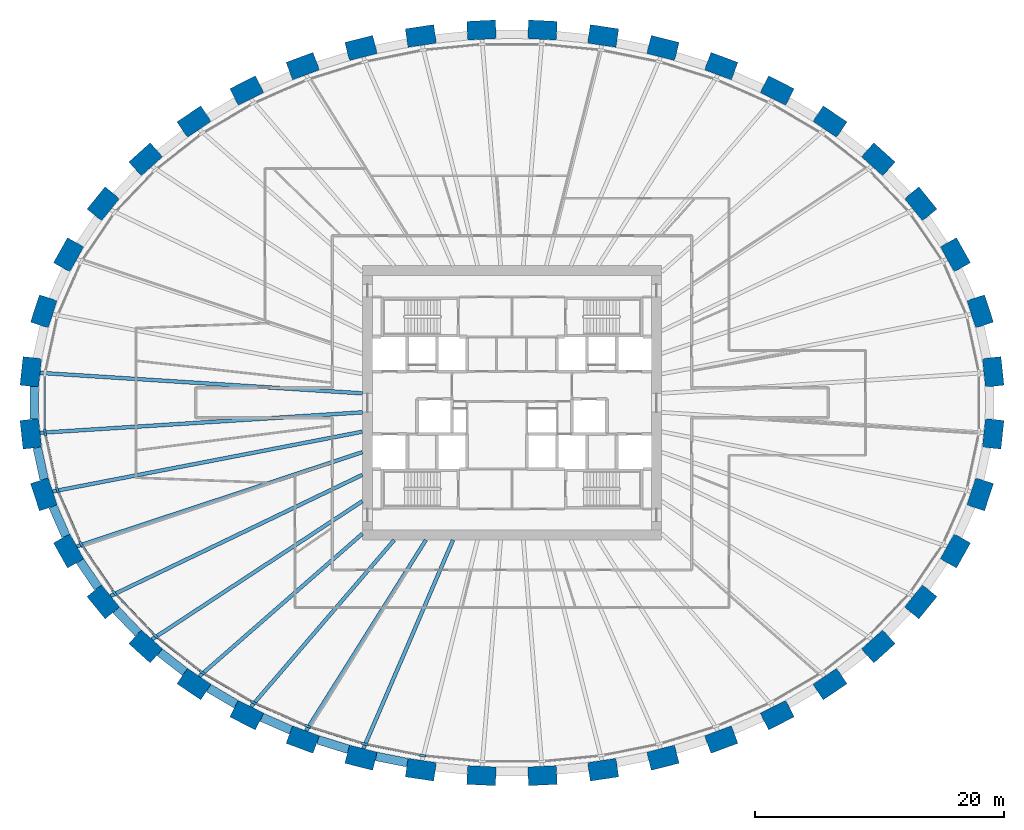
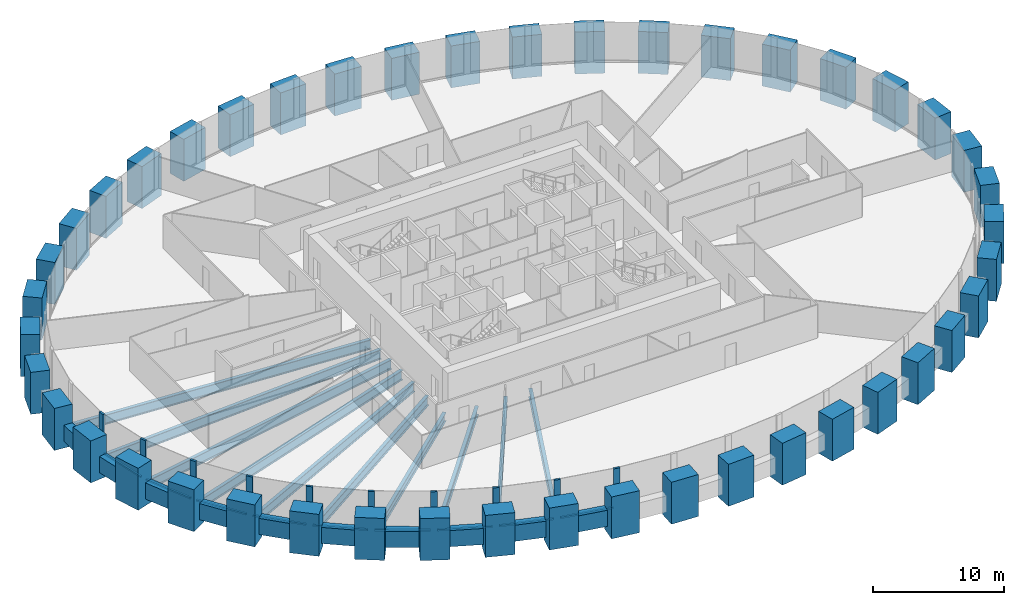
# One storey, part 1 of 11: 44 columns, 20 beams, 20 members, 1 element without a shape of its own.
"""IFC4 building model written with IfcOpenShell, lengths in metres."""

from ifc_helpers import new_model, si_unit, direction, frame, origin, origin_2d, place, context, subcontext, project, spatial, rectangle, i_section, extrude, source, transform, mapped, material, material_profile, profile_set, type_object, element, aggregate, save


model = new_model("IFC4")

# Units and contexts
model_context = context("Model", 3, precision=1e-05, world=origin(), true_north=direction((0.0, 1.0)))
body_context = subcontext(model_context, "Body", "Model", "MODEL_VIEW")
ifc_project = project(units=[si_unit("LENGTHUNIT", "METRE"), si_unit("AREAUNIT", "SQUARE_METRE"), si_unit("VOLUMEUNIT", "CUBIC_METRE"), si_unit("PLANEANGLEUNIT", "RADIAN"), si_unit("MASSUNIT", "GRAM", prefix="KILO")], contexts=[model_context])

# Site, building, storey
site_placement = place(None, origin())
site = spatial("IfcSite", under=ifc_project, at=site_placement, CompositionType="ELEMENT")
building_placement = place(site_placement, origin())
building = spatial("IfcBuilding", under=site, at=building_placement, Name="Embergate Tower", CompositionType="ELEMENT")
storey_placement = place(building_placement, frame((0.0, 0.0, 139.800048828125)))
storey = spatial("IfcBuildingStorey", under=building, at=storey_placement, Name="L30", CompositionType="ELEMENT", Elevation=139.800048828125)

# Columns
ifc_material_1 = material(Name="Concrete C70", Category="concrete")
ifc_material_profile_1 = material_profile(ifc_material_1, rectangle(XDim=1.5, YDim=2.300048828125, at=origin_2d()), Name="RC 1500x2300")
ifc_profile_set_1 = profile_set([ifc_material_profile_1], Name="Concrete C70")
column_type = type_object("IfcColumnType", Name="Ring column RC 1500x2300 C70", PredefinedType="COLUMN", material=ifc_profile_set_1)
shared_shape_1 = source(origin(), body_context, "Body", "SweptSolid", [
    extrude(rectangle(XDim=1.5, YDim=2.300048828125, at=origin_2d()), origin(), (0.0, 0.0, 1.0), 3.900146484375),
])
for number, where, z_axis, x_axis, name in (
    (1, (38.580078125, 2.48291015625, -1.400146484375), (0.0, 0.0, 1.0), (0.99428589498, 0.106749983816, 0.0), "COL-L30-00"),
    (2, (37.535888671875, 7.3359375, -1.400146484375), (0.0, 0.0, 1.0), (0.950754033697, 0.309946394413, 0.0), "COL-L30-01"),
    (3, (35.547119140625, 11.8720703125, -1.400146484375), (0.0, 0.0, 1.0), (0.873491969053, 0.486838556403, 0.0), "COL-L30-02"),
    (4, (32.76904296875, 15.95703125, -1.400146484375), (0.0, 0.0, 1.0), (0.775914301615, 0.630838328377, 0.0), "COL-L30-03"),
    (5, (29.367919921875, 19.52294921875, -1.400146484375), (0.0, 0.0, 1.0), (0.669208424634, 0.74307475021, 0.0), "COL-L30-04"),
    (6, (25.492919921875, 22.548095703125, -1.400146484375), (0.0, 0.0, 1.0), (0.560393279442, 0.828226643109, 0.0), "COL-L30-05"),
    (7, (21.263916015625, 25.034912109375, -1.400146484375), (0.0, 0.0, 1.0), (0.452994952881, 0.891513080478, 0.0), "COL-L30-06"),
    (8, (16.77490234375, 26.9970703125, -1.400146484375), (0.0, 0.0, 1.0), (0.348343015724, 0.93736713373, 0.0), "COL-L30-07"),
    (9, (12.10302734375, 28.452880859375, -1.400146484375), (0.0, 0.0, 1.0), (0.246491603437, 0.969144926951, 0.0), "COL-L30-08"),
    (10, (7.30810546875, 29.4140625, -1.400146484375), (0.0, 0.0, 1.0), (0.146929011949, 0.989147039346, 0.0), "COL-L30-09"),
    (11, (2.444091796875, 29.89208984375, -1.400146484375), (0.0, 0.0, 1.0), (0.048814904854, 0.998807841912, 0.0), "COL-L30-10"),
    (12, (-2.444091796875, 29.89208984375, -1.400146484375), (0.0, 0.0, 1.0), (-0.048814904854, 0.998807841912, 0.0), "COL-L30-11"),
    (13, (-7.30810546875, 29.4140625, -1.400146484375), (0.0, 0.0, 1.0), (-0.146929011949, 0.989147039346, 0.0), "COL-L30-12"),
    (14, (-12.10302734375, 28.452880859375, -1.400146484375), (0.0, 0.0, 1.0), (-0.246491603437, 0.969144926951, 0.0), "COL-L30-13"),
    (15, (-16.77490234375, 26.9970703125, -1.400146484375), (0.0, 0.0, 1.0), (-0.348343015724, 0.93736713373, 0.0), "COL-L30-14"),
    (16, (-21.263916015625, 25.034912109375, -1.400146484375), (0.0, 0.0, 1.0), (-0.452994952881, 0.891513080478, 0.0), "COL-L30-15"),
    (17, (-25.492919921875, 22.548095703125, -1.400146484375), (0.0, 0.0, 1.0), (-0.560393279442, 0.828226643109, 0.0), "COL-L30-16"),
    (18, (-29.367919921875, 19.52294921875, -1.400146484375), (0.0, 0.0, 1.0), (-0.669208424634, 0.74307475021, 0.0), "COL-L30-17"),
    (19, (-32.76904296875, 15.95703125, -1.400146484375), (0.0, 0.0, 1.0), (-0.775914301615, 0.630838328377, 0.0), "COL-L30-18"),
    (20, (-35.547119140625, 11.8720703125, -1.400146484375), (0.0, 0.0, 1.0), (-0.873491969053, 0.486838556403, 0.0), "COL-L30-19"),
    (21, (-37.535888671875, 7.3359375, -1.400146484375), (0.0, 0.0, 1.0), (-0.950754033697, 0.309946394413, 0.0), "COL-L30-20"),
    (22, (-38.580078125, 2.48291015625, -1.400146484375), (0.0, 0.0, 1.0), (-0.99428589498, 0.106749983816, 0.0), "COL-L30-21"),
    (23, (-38.580078125, -2.48291015625, -1.400146484375), (0.0, 0.0, 1.0), (-0.99428589498, -0.106749983816, 0.0), "COL-L30-22"),
    (24, (-37.535888671875, -7.3359375, -1.400146484375), (0.0, 0.0, 1.0), (-0.950754033697, -0.309946394413, 0.0), "COL-L30-23"),
    (25, (-35.547119140625, -11.8720703125, -1.400146484375), (0.0, 0.0, 1.0), (-0.873491969053, -0.486838556403, 0.0), "COL-L30-24"),
    (26, (-32.76904296875, -15.95703125, -1.400146484375), (0.0, 0.0, 1.0), (-0.775914301615, -0.630838328377, 0.0), "COL-L30-25"),
    (27, (-29.367919921875, -19.52294921875, -1.400146484375), (0.0, 0.0, 1.0), (-0.669208424634, -0.74307475021, 0.0), "COL-L30-26"),
    (28, (-25.492919921875, -22.548095703125, -1.400146484375), (0.0, 0.0, 1.0), (-0.560393279442, -0.828226643109, 0.0), "COL-L30-27"),
    (29, (-21.263916015625, -25.034912109375, -1.400146484375), (0.0, 0.0, 1.0), (-0.452994952881, -0.891513080478, 0.0), "COL-L30-28"),
    (30, (-16.77490234375, -26.9970703125, -1.400146484375), (0.0, 0.0, 1.0), (-0.348343015724, -0.93736713373, 0.0), "COL-L30-29"),
    (31, (-12.10302734375, -28.452880859375, -1.400146484375), (0.0, 0.0, 1.0), (-0.246491603437, -0.969144926951, 0.0), "COL-L30-30"),
    (32, (-7.30810546875, -29.4140625, -1.400146484375), (0.0, 0.0, 1.0), (-0.146929011949, -0.989147039346, 0.0), "COL-L30-31"),
    (33, (-2.444091796875, -29.89208984375, -1.400146484375), (0.0, 0.0, 1.0), (-0.048814904854, -0.998807841912, 0.0), "COL-L30-32"),
    (34, (2.444091796875, -29.89208984375, -1.400146484375), (0.0, 0.0, 1.0), (0.048814904854, -0.998807841912, 0.0), "COL-L30-33"),
    (35, (7.30810546875, -29.4140625, -1.400146484375), (0.0, 0.0, 1.0), (0.146929011949, -0.989147039346, 0.0), "COL-L30-34"),
    (36, (12.10302734375, -28.452880859375, -1.400146484375), (0.0, 0.0, 1.0), (0.246491603437, -0.969144926951, 0.0), "COL-L30-35"),
    (37, (16.77490234375, -26.9970703125, -1.400146484375), (0.0, 0.0, 1.0), (0.348343015724, -0.93736713373, 0.0), "COL-L30-36"),
    (38, (21.263916015625, -25.034912109375, -1.400146484375), (0.0, 0.0, 1.0), (0.452994952881, -0.891513080478, 0.0), "COL-L30-37"),
    (39, (25.492919921875, -22.548095703125, -1.400146484375), (0.0, 0.0, 1.0), (0.560393279442, -0.828226643109, 0.0), "COL-L30-38"),
    (40, (29.367919921875, -19.52294921875, -1.400146484375), (0.0, 0.0, 1.0), (0.669208424634, -0.74307475021, 0.0), "COL-L30-39"),
    (41, (32.76904296875, -15.95703125, -1.400146484375), (0.0, 0.0, 1.0), (0.775914301615, -0.630838328377, 0.0), "COL-L30-40"),
    (42, (35.547119140625, -11.8720703125, -1.400146484375), (0.0, 0.0, 1.0), (0.873491969053, -0.486838556403, 0.0), "COL-L30-41"),
    (43, (37.535888671875, -7.3359375, -1.400146484375), (0.0, 0.0, 1.0), (0.950754033697, -0.309946394413, 0.0), "COL-L30-42"),
    (44, (38.580078125, -2.48291015625, -1.400146484375), (0.0, 0.0, 1.0), (0.99428589498, -0.106749983816, 0.0), "COL-L30-43"),
):
    element("IfcColumn", number, at=place(storey_placement, frame(where, z_axis=z_axis, x_axis=x_axis)), inside=storey, type_object=column_type, Name=name, PredefinedType="COLUMN", context=body_context, shape_type="MappedRepresentation", body=[
        mapped(shared_shape_1, transform((0.0, 0.0, 0.0))),
    ])

# Beams
ifc_material_profile_2 = material_profile(ifc_material_1, rectangle(XDim=0.699951171875, YDim=1.5, at=origin_2d()), Name="RC 700x1500")
ifc_profile_set_2 = profile_set([ifc_material_profile_2], Name="Concrete C70")
beam_type_1 = type_object("IfcBeamType", Name="Spandrel beam RC 700x1500 C70", PredefinedType="BEAM", material=ifc_profile_set_2)
shared_shape_2 = source(origin(), body_context, "Body", "SweptSolid", [
    extrude(rectangle(XDim=0.699951171875, YDim=1.5, at=origin_2d()), origin(), (0.0, 0.0, 1.0), 2.59423828125),
])
for number, where, z_axis, x_axis, name in (
    (45, (-38.303955078125, 1.297119140625, 0.0), (0.0, -1.0, 0.0), (1.0, 0.0, 0.0), "SPN-L30-21"),
    (46, (-38.06103515625, -3.583984375, 0.0), (0.210518717987, -0.977589826756, 0.0), (0.977589826756, 0.210518717987, 0.0), "SPN-L30-22"),
):
    element("IfcBeam", number, at=place(storey_placement, frame(where, z_axis=z_axis, x_axis=x_axis)), inside=storey, type_object=beam_type_1, Name=name, PredefinedType="BEAM", context=body_context, shape_type="MappedRepresentation", body=[
        mapped(shared_shape_2, transform((0.0, 0.0, 0.0))),
    ])
shared_shape_3 = source(origin(), body_context, "Body", "SweptSolid", [
    extrude(rectangle(XDim=0.699951171875, YDim=1.5, at=origin_2d()), origin(), (0.0, 0.0, 1.0), 2.5888671875),
])
beam_1_placement = place(storey_placement, frame((-36.80810546875, -8.30810546875, 0.0), z_axis=(0.401723931702, -0.915760821775, 0.0), x_axis=(0.915760821775, 0.401723931702, 0.0)))
element("IfcBeam", 47, at=beam_1_placement, inside=storey, type_object=beam_type_1, Name="SPN-L30-23", PredefinedType="BEAM", context=body_context, shape_type="MappedRepresentation", body=[
    mapped(shared_shape_3, transform((0.0, 0.0, 0.0))),
])
shared_shape_4 = source(origin(), body_context, "Body", "SweptSolid", [
    extrude(rectangle(XDim=0.699951171875, YDim=1.5, at=origin_2d()), origin(), (0.0, 0.0, 1.0), 2.5791015625),
])
beam_2_placement = place(storey_placement, frame((-34.636962890625, -12.680908203125, 0.0), z_axis=(0.562170202136, -0.82702156189, 0.0), x_axis=(0.82702156189, 0.562170202136, 0.0)))
element("IfcBeam", 48, at=beam_2_placement, inside=storey, type_object=beam_type_1, Name="SPN-L30-24", PredefinedType="BEAM", context=body_context, shape_type="MappedRepresentation", body=[
    mapped(shared_shape_4, transform((0.0, 0.0, 0.0))),
])
shared_shape_5 = source(origin(), body_context, "Body", "SweptSolid", [
    extrude(rectangle(XDim=0.699951171875, YDim=1.5, at=origin_2d()), origin(), (0.0, 0.0, 1.0), 2.574462890625),
])
beam_3_placement = place(storey_placement, frame((-31.740966796875, -16.60302734375, 0.0), z_axis=(0.690171205001, -0.72364612055, 0.0), x_axis=(0.72364612055, 0.690171205001, 0.0)))
element("IfcBeam", 49, at=beam_3_placement, inside=storey, type_object=beam_type_1, Name="SPN-L30-25", PredefinedType="BEAM", context=body_context, shape_type="MappedRepresentation", body=[
    mapped(shared_shape_5, transform((0.0, 0.0, 0.0))),
])
shared_shape_6 = source(origin(), body_context, "Body", "SweptSolid", [
    extrude(rectangle(XDim=0.699951171875, YDim=1.5, at=origin_2d()), origin(), (0.0, 0.0, 1.0), 2.56689453125),
])
beam_4_placement = place(storey_placement, frame((-28.24609375, -19.9951171875, 0.0), z_axis=(0.788172869351, -0.615453920305, 0.0), x_axis=(0.615453920305, 0.788172869351, 0.0)))
element("IfcBeam", 50, at=beam_4_placement, inside=storey, type_object=beam_type_1, Name="SPN-L30-26", PredefinedType="BEAM", context=body_context, shape_type="MappedRepresentation", body=[
    mapped(shared_shape_6, transform((0.0, 0.0, 0.0))),
])
shared_shape_7 = source(origin(), body_context, "Body", "SweptSolid", [
    extrude(rectangle(XDim=0.699951171875, YDim=1.5, at=origin_2d()), origin(), (0.0, 0.0, 1.0), 2.561279296875),
])
beam_5_placement = place(storey_placement, frame((-24.321044921875, -22.867919921875, 0.0), z_axis=(0.862059156479, -0.506807666409, 0.0), x_axis=(0.506807666409, 0.862059156479, 0.0)))
element("IfcBeam", 51, at=beam_5_placement, inside=storey, type_object=beam_type_1, Name="SPN-L30-27", PredefinedType="BEAM", context=body_context, shape_type="MappedRepresentation", body=[
    mapped(shared_shape_7, transform((0.0, 0.0, 0.0))),
])
shared_shape_8 = source(origin(), body_context, "Body", "SweptSolid", [
    extrude(rectangle(XDim=0.699951171875, YDim=1.5, at=origin_2d()), origin(), (0.0, 0.0, 1.0), 2.558837890625),
])
beam_6_placement = place(storey_placement, frame((-20.06396484375, -25.2119140625, 0.0), z_axis=(0.916408972809, -0.40024316928, 0.0), x_axis=(0.40024316928, 0.916408972809, 0.0)))
element("IfcBeam", 52, at=beam_6_placement, inside=storey, type_object=beam_type_1, Name="SPN-L30-28", PredefinedType="BEAM", context=body_context, shape_type="MappedRepresentation", body=[
    mapped(shared_shape_8, transform((0.0, 0.0, 0.0))),
])
shared_shape_9 = source(origin(), body_context, "Body", "SweptSolid", [
    extrude(rectangle(XDim=0.699951171875, YDim=1.5, at=origin_2d()), origin(), (0.0, 0.0, 1.0), 2.5537109375),
])
beam_7_placement = place(storey_placement, frame((-15.556884765625, -27.02099609375, 0.0), z_axis=(0.954687282826, -0.297610806273, 0.0), x_axis=(0.297610806273, 0.954687282826, 0.0)))
element("IfcBeam", 53, at=beam_7_placement, inside=storey, type_object=beam_type_1, Name="SPN-L30-29", PredefinedType="BEAM", context=body_context, shape_type="MappedRepresentation", body=[
    mapped(shared_shape_9, transform((0.0, 0.0, 0.0))),
])
shared_shape_10 = source(origin(), body_context, "Body", "SweptSolid", [
    extrude(rectangle(XDim=0.699951171875, YDim=1.5, at=origin_2d()), origin(), (0.0, 0.0, 1.0), 2.552734375),
])
beam_8_placement = place(storey_placement, frame((-10.889892578125, -28.35009765625, 0.0), z_axis=(0.980477546037, -0.196631080243, 0.0), x_axis=(0.196631080243, 0.980477546037, 0.0)))
element("IfcBeam", 54, at=beam_8_placement, inside=storey, type_object=beam_type_1, Name="SPN-L30-30", PredefinedType="BEAM", context=body_context, shape_type="MappedRepresentation", body=[
    mapped(shared_shape_10, transform((0.0, 0.0, 0.0))),
])
ifc_material_2 = material(Name="Steel Q355B", Category="steel")
ifc_material_profile_3 = material_profile(ifc_material_2, i_section(OverallWidth=0.300048828125, OverallDepth=0.89990234375, WebThickness=0.01611328125, FlangeThickness=0.028076171875, FilletRadius=0.028076171875, at=origin_2d()), Name="HN 900x300x16x28")
ifc_profile_set_3 = profile_set([ifc_material_profile_3], Name="Steel Q355 grade B")
beam_type_2 = type_object("IfcBeamType", Name="Radial girder HN 900x300x16x28", PredefinedType="BEAM", material=ifc_profile_set_3)
shared_shape_11 = source(origin(), body_context, "Body", "SweptSolid", [
    extrude(i_section(OverallWidth=0.300048828125, OverallDepth=0.89990234375, WebThickness=0.01611328125, FlangeThickness=0.028076171875, FilletRadius=0.028076171875, at=origin_2d()), origin(), (0.0, 0.0, 1.0), 25.885986328125),
])
for number, where, z_axis, x_axis, name in (
    (55, (-37.833984375, 2.403076171875, -0.650146484375), (0.997988350438, -0.063397574012, 0.0), (0.063397574012, 0.997988350438, 0.0), "GIR-L30-21"),
    (56, (-37.833984375, -2.403076171875, -0.650146484375), (0.997988350438, 0.063397574012, 0.0), (-0.063397574012, 0.997988350438, 0.0), "GIR-L30-22"),
):
    element("IfcBeam", number, at=place(storey_placement, frame(where, z_axis=z_axis, x_axis=x_axis)), inside=storey, type_object=beam_type_2, Name=name, PredefinedType="BEAM", context=body_context, shape_type="MappedRepresentation", body=[
        mapped(shared_shape_11, transform((0.0, 0.0, 0.0))),
    ])
shared_shape_12 = source(origin(), body_context, "Body", "SweptSolid", [
    extrude(i_section(OverallWidth=0.300048828125, OverallDepth=0.89990234375, WebThickness=0.01611328125, FlangeThickness=0.028076171875, FilletRadius=0.028076171875, at=origin_2d()), origin(), (0.0, 0.0, 1.0), 25.28076171875),
])
beam_9_placement = place(storey_placement, frame((-36.822998046875, -7.10400390625, -0.650146484375), z_axis=(0.981893236668, 0.189435138731, 0.0), x_axis=(-0.189435138731, 0.981893236668, 0.0)))
element("IfcBeam", 57, at=beam_9_placement, inside=storey, type_object=beam_type_2, Name="GIR-L30-23", PredefinedType="BEAM", context=body_context, shape_type="MappedRepresentation", body=[
    mapped(shared_shape_12, transform((0.0, 0.0, 0.0))),
])
shared_shape_13 = source(origin(), body_context, "Body", "SweptSolid", [
    extrude(i_section(OverallWidth=0.300048828125, OverallDepth=0.89990234375, WebThickness=0.01611328125, FlangeThickness=0.028076171875, FilletRadius=0.028076171875, at=origin_2d()), origin(), (0.0, 0.0, 1.0), 24.10498046875),
])
beam_10_placement = place(storey_placement, frame((-34.89208984375, -11.507080078125, -0.650146484375), z_axis=(0.949682225523, 0.313215054756, 0.0), x_axis=(-0.313215054756, 0.949682225523, 0.0)))
element("IfcBeam", 58, at=beam_10_placement, inside=storey, type_object=beam_type_2, Name="GIR-L30-24", PredefinedType="BEAM", context=body_context, shape_type="MappedRepresentation", body=[
    mapped(shared_shape_13, transform((0.0, 0.0, 0.0))),
])
shared_shape_14 = source(origin(), body_context, "Body", "SweptSolid", [
    extrude(i_section(OverallWidth=0.300048828125, OverallDepth=0.89990234375, WebThickness=0.01611328125, FlangeThickness=0.028076171875, FilletRadius=0.028076171875, at=origin_2d()), origin(), (0.0, 0.0, 1.0), 22.4013671875),
])
beam_11_placement = place(storey_placement, frame((-32.18701171875, -15.48388671875, -0.650146484375), z_axis=(0.901154023355, 0.433499049815, 0.0), x_axis=(-0.433499049815, 0.901154023355, 0.0)))
element("IfcBeam", 59, at=beam_11_placement, inside=storey, type_object=beam_type_2, Name="GIR-L30-25", PredefinedType="BEAM", context=body_context, shape_type="MappedRepresentation", body=[
    mapped(shared_shape_14, transform((0.0, 0.0, 0.0))),
])
shared_shape_15 = source(origin(), body_context, "Body", "SweptSolid", [
    extrude(i_section(OverallWidth=0.300048828125, OverallDepth=0.89990234375, WebThickness=0.01611328125, FlangeThickness=0.028076171875, FilletRadius=0.028076171875, at=origin_2d()), origin(), (0.0, 0.0, 1.0), 20.180908203125),
])
beam_12_placement = place(storey_placement, frame((-28.865966796875, -18.966064453125, -0.650146484375), z_axis=(0.835735460255, 0.549132261365, 0.0), x_axis=(-0.549132261365, 0.835735460255, 0.0)))
element("IfcBeam", 60, at=beam_12_placement, inside=storey, type_object=beam_type_2, Name="GIR-L30-26", PredefinedType="BEAM", context=body_context, shape_type="MappedRepresentation", body=[
    mapped(shared_shape_15, transform((0.0, 0.0, 0.0))),
])
ifc_material_profile_4 = material_profile(ifc_material_2, i_section(OverallWidth=0.300048828125, OverallDepth=0.800048828125, WebThickness=0.013916015625, FlangeThickness=0.02587890625, FilletRadius=0.028076171875, at=origin_2d()), Name="HN 800x300x14x26")
ifc_profile_set_4 = profile_set([ifc_material_profile_4], Name="Steel Q355 grade B")
beam_type_3 = type_object("IfcBeamType", Name="Radial girder HN 800x300x14x26", PredefinedType="BEAM", material=ifc_profile_set_4)
shared_shape_16 = source(origin(), body_context, "Body", "SweptSolid", [
    extrude(i_section(OverallWidth=0.300048828125, OverallDepth=0.800048828125, WebThickness=0.013916015625, FlangeThickness=0.02587890625, FilletRadius=0.028076171875, at=origin_2d()), origin(), (0.0, 0.0, 1.0), 17.3671875),
])
beam_13_placement = place(storey_placement, frame((-25.072998046875, -21.927001953125, -0.60009765625), z_axis=(0.752741256854, 0.658316489411, 0.0), x_axis=(-0.658316489411, 0.752741256854, 0.0)))
element("IfcBeam", 61, at=beam_13_placement, inside=storey, type_object=beam_type_3, Name="GIR-L30-27", PredefinedType="BEAM", context=body_context, shape_type="MappedRepresentation", body=[
    mapped(shared_shape_16, transform((0.0, 0.0, 0.0))),
])
shared_shape_17 = source(origin(), body_context, "Body", "SweptSolid", [
    extrude(i_section(OverallWidth=0.300048828125, OverallDepth=0.800048828125, WebThickness=0.013916015625, FlangeThickness=0.02587890625, FilletRadius=0.028076171875, at=origin_2d()), origin(), (0.0, 0.0, 1.0), 17.617919921875),
])
beam_14_placement = place(storey_placement, frame((-20.924072265625, -24.365966796875, -0.60009765625), z_axis=(0.651494074711, 0.75865372247, 0.0), x_axis=(-0.75865372247, 0.651494074711, 0.0)))
element("IfcBeam", 62, at=beam_14_placement, inside=storey, type_object=beam_type_3, Name="GIR-L30-28", PredefinedType="BEAM", context=body_context, shape_type="MappedRepresentation", body=[
    mapped(shared_shape_17, transform((0.0, 0.0, 0.0))),
])
shared_shape_18 = source(origin(), body_context, "Body", "SweptSolid", [
    extrude(i_section(OverallWidth=0.300048828125, OverallDepth=0.800048828125, WebThickness=0.013916015625, FlangeThickness=0.02587890625, FilletRadius=0.028076171875, at=origin_2d()), origin(), (0.0, 0.0, 1.0), 18.060546875),
])
beam_15_placement = place(storey_placement, frame((-16.513916015625, -26.2939453125, -0.60009765625), z_axis=(0.531878610528, 0.846820608903, 0.0), x_axis=(-0.846820608903, 0.531878610528, 0.0)))
element("IfcBeam", 63, at=beam_15_placement, inside=storey, type_object=beam_type_3, Name="GIR-L30-29", PredefinedType="BEAM", context=body_context, shape_type="MappedRepresentation", body=[
    mapped(shared_shape_18, transform((0.0, 0.0, 0.0))),
])
shared_shape_19 = source(origin(), body_context, "Body", "SweptSolid", [
    extrude(i_section(OverallWidth=0.300048828125, OverallDepth=0.800048828125, WebThickness=0.013916015625, FlangeThickness=0.02587890625, FilletRadius=0.028076171875, at=origin_2d()), origin(), (0.0, 0.0, 1.0), 18.2060546875),
])
beam_16_placement = place(storey_placement, frame((-11.91796875, -27.72607421875, -0.60009765625), z_axis=(0.394922496681, 0.918714439647, 0.0), x_axis=(-0.918714439647, 0.394922496681, 0.0)))
element("IfcBeam", 64, at=beam_16_placement, inside=storey, type_object=beam_type_3, Name="GIR-L30-30", PredefinedType="BEAM", context=body_context, shape_type="MappedRepresentation", body=[
    mapped(shared_shape_19, transform((0.0, 0.0, 0.0))),
])

# Curtain wall, members
ifc_material_3 = material(Name="Aluminium and glass", Category="aluminium")
curtain_wall_type = type_object("IfcCurtainWallType", Name="Recessed office glazing", PredefinedType="NOTDEFINED", material=ifc_material_3)
curtain_wall_placement = place(storey_placement, origin())
curtain_wall = element("IfcCurtainWall", 65, at=curtain_wall_placement, inside=storey, type_object=curtain_wall_type, Name="Recessed office glazing ring", ObjectType="RECESSED OFFICE GLAZING", PredefinedType="USERDEFINED")
ifc_material_4 = material(Name="Aluminium, thermally broken", Category="aluminium")
ifc_material_profile_5 = material_profile(ifc_material_4, rectangle(XDim=0.179931640625, YDim=0.52001953125, at=origin_2d()), Name="AL 520x180")
ifc_profile_set_5 = profile_set([ifc_material_profile_5], Name="Aluminium, thermally broken")
member_type_1 = type_object("IfcMemberType", Name="Office mullion", PredefinedType="MULLION", material=ifc_profile_set_5)
shared_shape_20 = source(origin(), body_context, "Body", "SweptSolid", [
    extrude(rectangle(XDim=0.179931640625, YDim=0.52001953125, at=origin_2d()), origin(), (0.0, 0.0, 1.0), 3.699951171875),
])
member_1_placement = place(storey_placement, frame((-37.4462890625, -2.36181640625, 0.0), z_axis=(0.0, 0.0, 1.0), x_axis=(0.994384954736, 0.105823257345, 0.0)))
member_1 = element("IfcMember", 66, at=member_1_placement, type_object=member_type_1, Name="CW mullion 23", PredefinedType="MULLION", context=body_context, shape_type="MappedRepresentation", body=[
    mapped(shared_shape_20, transform((0.0, 0.0, 0.0))),
])
member_2_placement = place(storey_placement, frame((-36.451904296875, -6.982177734375, 0.0), z_axis=(0.0, 0.0, 1.0), x_axis=(0.951497797992, 0.307655554826, 0.0)))
member_2 = element("IfcMember", 67, at=member_2_placement, type_object=member_type_1, Name="CW mullion 24", PredefinedType="MULLION", context=body_context, shape_type="MappedRepresentation", body=[
    mapped(shared_shape_20, transform((0.0, 0.0, 0.0))),
])
member_3_placement = place(storey_placement, frame((-34.55078125, -11.31689453125, 0.0), z_axis=(0.0, 0.0, 1.0), x_axis=(0.875001895832, 0.484119491748, 0.0)))
member_3 = element("IfcMember", 68, at=member_3_placement, type_object=member_type_1, Name="CW mullion 25", PredefinedType="MULLION", context=body_context, shape_type="MappedRepresentation", body=[
    mapped(shared_shape_20, transform((0.0, 0.0, 0.0))),
])
member_4_placement = place(storey_placement, frame((-31.88427734375, -15.238037109375, 0.0), z_axis=(0.0, 0.0, 1.0), x_axis=(0.777871467551, 0.628423408198, 0.0)))
member_4 = element("IfcMember", 69, at=member_4_placement, type_object=member_type_1, Name="CW mullion 26", PredefinedType="MULLION", context=body_context, shape_type="MappedRepresentation", body=[
    mapped(shared_shape_20, transform((0.0, 0.0, 0.0))),
])
member_5_placement = place(storey_placement, frame((-28.605712890625, -18.676025390625, 0.0), z_axis=(0.0, 0.0, 1.0), x_axis=(0.671225240226, 0.741253449829, 0.0)))
member_5 = element("IfcMember", 70, at=member_5_placement, type_object=member_type_1, Name="CW mullion 27", PredefinedType="MULLION", context=body_context, shape_type="MappedRepresentation", body=[
    mapped(shared_shape_20, transform((0.0, 0.0, 0.0))),
])
member_6_placement = place(storey_placement, frame((-24.8544921875, -21.603515625, 0.0), z_axis=(0.0, 0.0, 1.0), x_axis=(0.562214731803, 0.826991290972, 0.0)))
member_6 = element("IfcMember", 71, at=member_6_placement, type_object=member_type_1, Name="CW mullion 28", PredefinedType="MULLION", context=body_context, shape_type="MappedRepresentation", body=[
    mapped(shared_shape_20, transform((0.0, 0.0, 0.0))),
])
member_7_placement = place(storey_placement, frame((-20.74755859375, -24.018310546875, 0.0), z_axis=(0.0, 0.0, 1.0), x_axis=(0.454508271251, 0.890742516872, 0.0)))
member_7 = element("IfcMember", 72, at=member_7_placement, type_object=member_type_1, Name="CW mullion 29", PredefinedType="MULLION", context=body_context, shape_type="MappedRepresentation", body=[
    mapped(shared_shape_20, transform((0.0, 0.0, 0.0))),
])
member_8_placement = place(storey_placement, frame((-16.378173828125, -25.9287109375, 0.0), z_axis=(0.0, 0.0, 1.0), x_axis=(0.349501047589, 0.936935973124, 0.0)))
member_8 = element("IfcMember", 73, at=member_8_placement, type_object=member_type_1, Name="CW mullion 30", PredefinedType="MULLION", context=body_context, shape_type="MappedRepresentation", body=[
    mapped(shared_shape_20, transform((0.0, 0.0, 0.0))),
])
member_9_placement = place(storey_placement, frame((-11.82177734375, -27.34765625, 0.0), z_axis=(0.0, 0.0, 1.0), x_axis=(0.247310190257, 0.968936360034, 0.0)))
member_9 = element("IfcMember", 74, at=member_9_placement, type_object=member_type_1, Name="CW mullion 31", PredefinedType="MULLION", context=body_context, shape_type="MappedRepresentation", body=[
    mapped(shared_shape_20, transform((0.0, 0.0, 0.0))),
])
member_10_placement = place(storey_placement, frame((-7.140625, -28.28662109375, 0.0), z_axis=(0.0, 0.0, 1.0), x_axis=(0.147410656556, 0.989075375456, 0.0)))
member_10 = element("IfcMember", 75, at=member_10_placement, type_object=member_type_1, Name="CW mullion 32", PredefinedType="MULLION", context=body_context, shape_type="MappedRepresentation", body=[
    mapped(shared_shape_20, transform((0.0, 0.0, 0.0))),
])
ifc_material_profile_6 = material_profile(ifc_material_4, rectangle(XDim=0.179931640625, YDim=0.14990234375, at=origin_2d()), Name="AL 150x180")
ifc_profile_set_6 = profile_set([ifc_material_profile_6], Name="Aluminium, thermally broken")
member_type_2 = type_object("IfcMemberType", Name="Office sill transom", PredefinedType="USERDEFINED", material=ifc_profile_set_6)
shared_shape_21 = source(origin(), body_context, "Body", "SweptSolid", [
    extrude(rectangle(XDim=0.179931640625, YDim=0.14990234375, at=origin_2d()), origin(), (0.0, 0.0, 1.0), 4.25439453125),
])
member_11_placement = place(storey_placement, frame((-11.56689453125, -27.398681640625, 0.074951171875), z_axis=(0.980472378795, -0.196656844325, 0.0), x_axis=(0.196656844325, 0.980472378795, 0.0)))
member_11 = element("IfcMember", 76, at=member_11_placement, type_object=member_type_2, Name="CW transom 31.1", ObjectType="TRANSOM", PredefinedType="USERDEFINED", context=body_context, shape_type="MappedRepresentation", body=[
    mapped(shared_shape_21, transform((0.0, 0.0, 0.0))),
])
shared_shape_22 = source(origin(), body_context, "Body", "SweptSolid", [
    extrude(rectangle(XDim=0.179931640625, YDim=0.14990234375, at=origin_2d()), origin(), (0.0, 0.0, 1.0), 4.206298828125),
])
member_12_placement = place(storey_placement, frame((-37.3916015625, -2.615966796875, 0.074951171875), z_axis=(0.210405025701, -0.977614302862, 0.0), x_axis=(0.977614302862, 0.210405025701, 0.0)))
member_12 = element("IfcMember", 77, at=member_12_placement, type_object=member_type_2, Name="CW transom 23.1", ObjectType="TRANSOM", PredefinedType="USERDEFINED", context=body_context, shape_type="MappedRepresentation", body=[
    mapped(shared_shape_22, transform((0.0, 0.0, 0.0))),
])
shared_shape_23 = source(origin(), body_context, "Body", "SweptSolid", [
    extrude(rectangle(XDim=0.179931640625, YDim=0.14990234375, at=origin_2d()), origin(), (0.0, 0.0, 1.0), 4.213134765625),
])
member_13_placement = place(storey_placement, frame((-36.34765625, -7.22021484375, 0.074951171875), z_axis=(0.40163335885, -0.915800548733, 0.0), x_axis=(0.915800548733, 0.40163335885, 0.0)))
member_13 = element("IfcMember", 78, at=member_13_placement, type_object=member_type_2, Name="CW transom 24.1", ObjectType="TRANSOM", PredefinedType="USERDEFINED", context=body_context, shape_type="MappedRepresentation", body=[
    mapped(shared_shape_23, transform((0.0, 0.0, 0.0))),
])
shared_shape_24 = source(origin(), body_context, "Body", "SweptSolid", [
    extrude(rectangle(XDim=0.179931640625, YDim=0.14990234375, at=origin_2d()), origin(), (0.0, 0.0, 1.0), 4.22216796875),
])
member_14_placement = place(storey_placement, frame((-34.40478515625, -11.53173828125, 0.074951171875), z_axis=(0.562349562031, -0.826899613063, 0.0), x_axis=(0.826899613063, 0.562349562031, 0.0)))
member_14 = element("IfcMember", 79, at=member_14_placement, type_object=member_type_2, Name="CW transom 25.1", ObjectType="TRANSOM", PredefinedType="USERDEFINED", context=body_context, shape_type="MappedRepresentation", body=[
    mapped(shared_shape_24, transform((0.0, 0.0, 0.0))),
])
shared_shape_25 = source(origin(), body_context, "Body", "SweptSolid", [
    extrude(rectangle(XDim=0.179931640625, YDim=0.14990234375, at=origin_2d()), origin(), (0.0, 0.0, 1.0), 4.230712890625),
])
member_15_placement = place(storey_placement, frame((-31.704833984375, -15.42626953125, 0.074951171875), z_axis=(0.690173739415, -0.723643703367, 0.0), x_axis=(0.723643703367, 0.690173739415, 0.0)))
member_15 = element("IfcMember", 80, at=member_15_placement, type_object=member_type_2, Name="CW transom 26.1", ObjectType="TRANSOM", PredefinedType="USERDEFINED", context=body_context, shape_type="MappedRepresentation", body=[
    mapped(shared_shape_25, transform((0.0, 0.0, 0.0))),
])
shared_shape_26 = source(origin(), body_context, "Body", "SweptSolid", [
    extrude(rectangle(XDim=0.179931640625, YDim=0.14990234375, at=origin_2d()), origin(), (0.0, 0.0, 1.0), 4.23828125),
])
member_16_placement = place(storey_placement, frame((-28.400634765625, -18.8359375, 0.074951171875), z_axis=(0.788315102029, -0.615271728518, 0.0), x_axis=(0.615271728518, 0.788315102029, 0.0)))
member_16 = element("IfcMember", 81, at=member_16_placement, type_object=member_type_2, Name="CW transom 27.1", ObjectType="TRANSOM", PredefinedType="USERDEFINED", context=body_context, shape_type="MappedRepresentation", body=[
    mapped(shared_shape_26, transform((0.0, 0.0, 0.0))),
])
shared_shape_27 = source(origin(), body_context, "Body", "SweptSolid", [
    extrude(rectangle(XDim=0.179931640625, YDim=0.14990234375, at=origin_2d()), origin(), (0.0, 0.0, 1.0), 4.244140625),
])
member_17_placement = place(storey_placement, frame((-24.63037109375, -21.7353515625, 0.074951171875), z_axis=(0.862042143977, -0.506836602868, 0.0), x_axis=(0.506836602868, 0.862042143977, 0.0)))
member_17 = element("IfcMember", 82, at=member_17_placement, type_object=member_type_2, Name="CW transom 28.1", ObjectType="TRANSOM", PredefinedType="USERDEFINED", context=body_context, shape_type="MappedRepresentation", body=[
    mapped(shared_shape_27, transform((0.0, 0.0, 0.0))),
])
shared_shape_28 = source(origin(), body_context, "Body", "SweptSolid", [
    extrude(rectangle(XDim=0.179931640625, YDim=0.14990234375, at=origin_2d()), origin(), (0.0, 0.0, 1.0), 4.2490234375),
])
member_18_placement = place(storey_placement, frame((-20.50927734375, -24.122314453125, 0.074951171875), z_axis=(0.91622853094, -0.400656060845, 0.0), x_axis=(0.400656060845, 0.91622853094, 0.0)))
member_18 = element("IfcMember", 83, at=member_18_placement, type_object=member_type_2, Name="CW transom 29.1", ObjectType="TRANSOM", PredefinedType="USERDEFINED", context=body_context, shape_type="MappedRepresentation", body=[
    mapped(shared_shape_28, transform((0.0, 0.0, 0.0))),
])
shared_shape_29 = source(origin(), body_context, "Body", "SweptSolid", [
    extrude(rectangle(XDim=0.179931640625, YDim=0.14990234375, at=origin_2d()), origin(), (0.0, 0.0, 1.0), 4.252197265625),
])
member_19_placement = place(storey_placement, frame((-16.1298828125, -26.006103515625, 0.074951171875), z_axis=(0.954766614733, -0.297356202881, 0.0), x_axis=(0.297356202881, 0.954766614733, 0.0)))
member_19 = element("IfcMember", 84, at=member_19_placement, type_object=member_type_2, Name="CW transom 30.1", ObjectType="TRANSOM", PredefinedType="USERDEFINED", context=body_context, shape_type="MappedRepresentation", body=[
    mapped(shared_shape_29, transform((0.0, 0.0, 0.0))),
])
shared_shape_30 = source(origin(), body_context, "Body", "SweptSolid", [
    extrude(rectangle(XDim=0.179931640625, YDim=0.14990234375, at=origin_2d()), origin(), (0.0, 0.0, 1.0), 4.20361328125),
])
member_20_placement = place(storey_placement, frame((-37.4462890625, 2.101806640625, 0.074951171875), z_axis=(0.0, -1.0, 0.0), x_axis=(1.0, 0.0, 0.0)))
member_20 = element("IfcMember", 85, at=member_20_placement, type_object=member_type_2, Name="CW transom 22.1", ObjectType="TRANSOM", PredefinedType="USERDEFINED", context=body_context, shape_type="MappedRepresentation", body=[
    mapped(shared_shape_30, transform((0.0, 0.0, 0.0))),
])
aggregate(curtain_wall, [member_1, member_2, member_3, member_4, member_5, member_6, member_7, member_8, member_9, member_10, member_20, member_12, member_13, member_14, member_15, member_16, member_17, member_18, member_19, member_11])

save(model, "model.ifc")
